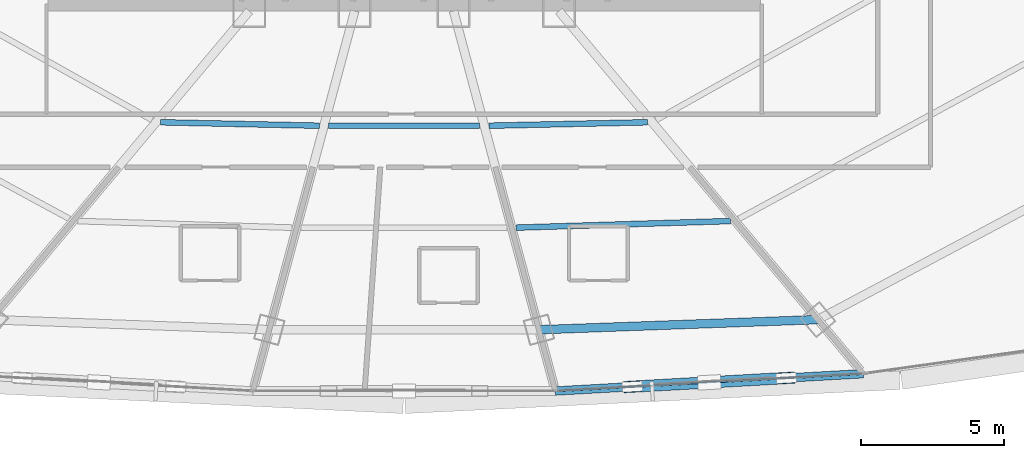
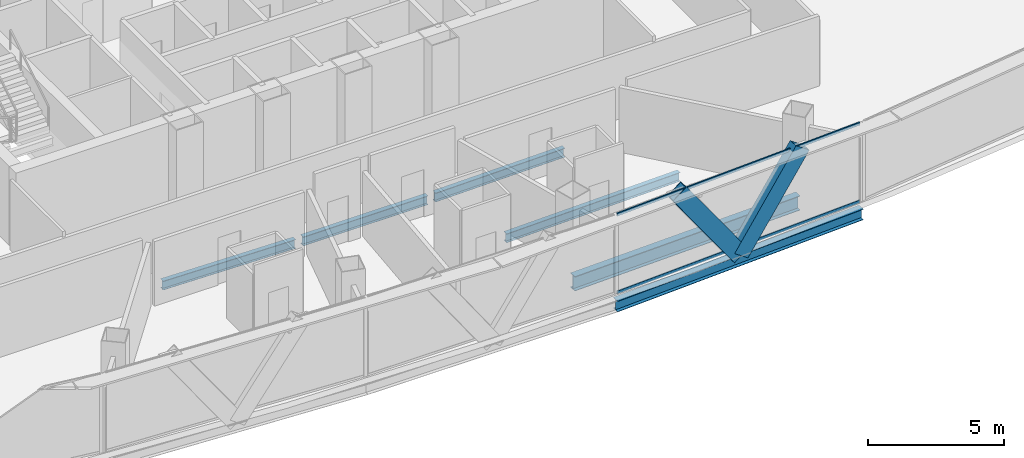
# One storey, part 13 of 40: 6 beams, 4 members, 1 element without a shape of its own.
"""IFC4 building model written with IfcOpenShell, lengths in metres."""

from ifc_helpers import new_model, si_unit, direction, frame, origin, origin_2d, place, context, subcontext, project, spatial, hollow_rectangle, i_section, extrude, source, transform, mapped, material, layer, layer_set, material_profile, profile_set, type_object, element, aggregate, save


model = new_model("IFC4")

# Units and contexts
model_context = context("Model", 3, precision=1e-05, world=origin(), true_north=direction((0.0, 1.0)))
body_context = subcontext(model_context, "Body", "Model", "MODEL_VIEW")
ifc_project = project(units=[si_unit("LENGTHUNIT", "METRE"), si_unit("AREAUNIT", "SQUARE_METRE"), si_unit("VOLUMEUNIT", "CUBIC_METRE"), si_unit("PLANEANGLEUNIT", "RADIAN"), si_unit("MASSUNIT", "GRAM", prefix="KILO"), si_unit("THERMODYNAMICTEMPERATUREUNIT", "KELVIN"), si_unit("POWERUNIT", "WATT")], contexts=[model_context])

# Site, building, storey
site_placement = place(None, origin())
site = spatial("IfcSite", under=ifc_project, at=site_placement, CompositionType="ELEMENT")
building_placement = place(site_placement, origin())
building = spatial("IfcBuilding", under=site, at=building_placement, Name="Yunzhuo Pagoda Commons", CompositionType="ELEMENT")
storey_placement = place(building_placement, frame((0.0, 0.0, 184.760009765625)))
storey = spatial("IfcBuildingStorey", under=building, at=storey_placement, Name="L46", CompositionType="ELEMENT", Elevation=184.760009765625)

# Beams
ifc_material_1 = material(Name="Structural steel Q355B", Category="steel")
ifc_material_profile_1 = material_profile(ifc_material_1, i_section(OverallWidth=0.300048828125, OverallDepth=0.488037109375, WebThickness=0.010986328125, FlangeThickness=0.01806640625, at=origin_2d()), Name="Structural steel Q355B")
ifc_profile_set_1 = profile_set([ifc_material_profile_1], Name="Structural steel Q355B")
beam_type_1 = type_object("IfcBeamType", Name="B-SP1 Beam HM 488x300x11x18", PredefinedType="BEAM", material=ifc_profile_set_1)
shared_shape_1 = source(origin(), body_context, "Body", "SweptSolid", [
    extrude(i_section(OverallWidth=0.300048828125, OverallDepth=0.488037109375, WebThickness=0.010986328125, FlangeThickness=0.01806640625, at=origin_2d()), origin(), (0.0, 0.0, 1.0), 10.77783203125),
])
beam_1_placement = place(storey_placement, frame((53.28662109375, 13.970458984375, -0.503662109375), z_axis=(0.998422062391, 0.056155011631, 0.0), x_axis=(-0.056155011631, 0.998422062391, 0.0)))
element("IfcBeam", 1, at=beam_1_placement, inside=storey, type_object=beam_type_1, Name="L46 facade edge spandrel beam F1.3", PredefinedType="BEAM", context=body_context, shape_type="MappedRepresentation", body=[
    mapped(shared_shape_1, transform((0.0, 0.0, 0.0), scale=1.0)),
])
ifc_material_profile_2 = material_profile(ifc_material_1, i_section(OverallWidth=0.300048828125, OverallDepth=0.64990234375, WebThickness=0.012939453125, FlangeThickness=0.02197265625, at=origin_2d()), Name="Structural steel Q355B")
ifc_profile_set_2 = profile_set([ifc_material_profile_2], Name="Structural steel Q355B")
beam_type_2 = type_object("IfcBeamType", Name="B-RG2 Beam HN 650x300x13x22", PredefinedType="BEAM", material=ifc_profile_set_2)
shared_shape_2 = source(origin(), body_context, "Body", "SweptSolid", [
    extrude(i_section(OverallWidth=0.300048828125, OverallDepth=0.64990234375, WebThickness=0.012939453125, FlangeThickness=0.02197265625, at=origin_2d()), origin(), (0.0, 0.0, 1.0), 9.754638671875),
])
beam_2_placement = place(storey_placement, frame((52.712890625, 16.1123046875, -0.5849609375), z_axis=(0.999343095614, 0.036240547032, 0.0), x_axis=(-0.036240547032, 0.999343095614, 0.0)))
element("IfcBeam", 2, at=beam_2_placement, inside=storey, type_object=beam_type_2, Name="L46 column-ring beam 3", PredefinedType="BEAM", context=body_context, shape_type="MappedRepresentation", body=[
    mapped(shared_shape_2, transform((0.0, 0.0, 0.0), scale=1.0)),
])
ifc_material_profile_3 = material_profile(ifc_material_1, i_section(OverallWidth=0.199951171875, OverallDepth=0.39990234375, WebThickness=0.008056640625, FlangeThickness=0.012939453125, at=origin_2d()), Name="Structural steel Q355B")
ifc_profile_set_3 = profile_set([ifc_material_profile_3], Name="Structural steel Q355B")
beam_type_3 = type_object("IfcBeamType", Name="B-JS1 Joist HN 400x200x8x13", PredefinedType="JOIST", material=ifc_profile_set_3)
shared_shape_3 = source(origin(), body_context, "Body", "SweptSolid", [
    extrude(i_section(OverallWidth=0.199951171875, OverallDepth=0.39990234375, WebThickness=0.008056640625, FlangeThickness=0.012939453125, at=origin_2d()), origin(), (0.0, 0.0, 1.0), 5.550537109375),
])
for number, where, z_axis, x_axis, name in (
    (3, (39.489013671875, 23.3642578125, -0.4599609375), (0.99976582056, -0.021640333643, 0.0), (0.021640333643, 0.99976582056, 0.0), "L46 composite ring joist 1.1"),
    (4, (50.961669921875, 23.244140625, -0.4599609375), (0.99976582056, 0.021640333643, 0.0), (-0.021640333643, 0.99976582056, 0.0), "L46 composite ring joist 1.3"),
):
    element("IfcBeam", number, at=place(storey_placement, frame(where, z_axis=z_axis, x_axis=x_axis)), inside=storey, type_object=beam_type_3, Name=name, PredefinedType="JOIST", context=body_context, shape_type="MappedRepresentation", body=[
        mapped(shared_shape_3, transform((0.0, 0.0, 0.0), scale=1.0)),
    ])
shared_shape_4 = source(origin(), body_context, "Body", "SweptSolid", [
    extrude(i_section(OverallWidth=0.199951171875, OverallDepth=0.39990234375, WebThickness=0.008056640625, FlangeThickness=0.012939453125, at=origin_2d()), origin(), (0.0, 0.0, 1.0), 7.49365234375),
])
beam_3_placement = place(storey_placement, frame((51.91650390625, 19.68115234375, -0.4599609375), z_axis=(0.99952593018, 0.030788226605, 0.0), x_axis=(-0.030788226605, 0.99952593018, 0.0)))
element("IfcBeam", 5, at=beam_3_placement, inside=storey, type_object=beam_type_3, Name="L46 composite ring joist 2.3", PredefinedType="JOIST", context=body_context, shape_type="MappedRepresentation", body=[
    mapped(shared_shape_4, transform((0.0, 0.0, 0.0), scale=1.0)),
])
shared_shape_5 = source(origin(), body_context, "Body", "SweptSolid", [
    extrude(i_section(OverallWidth=0.199951171875, OverallDepth=0.39990234375, WebThickness=0.008056640625, FlangeThickness=0.012939453125, at=origin_2d()), origin(), (0.0, 0.0, 1.0), 5.287109375),
])
beam_4_placement = place(storey_placement, frame((45.3564453125, 23.24072265625, -0.4599609375), z_axis=(1.0, 0.0, 0.0), x_axis=(0.0, 1.0, 0.0)))
element("IfcBeam", 6, at=beam_4_placement, inside=storey, type_object=beam_type_3, Name="L46 composite ring joist 1.2", PredefinedType="JOIST", context=body_context, shape_type="MappedRepresentation", body=[
    mapped(shared_shape_5, transform((0.0, 0.0, 0.0), scale=1.0)),
])

# Members
ifc_material_profile_4 = material_profile(ifc_material_1, hollow_rectangle(XDim=0.39990234375, YDim=0.719970703125, WallThickness=0.02392578125, at=origin_2d()), Name="Structural steel Q355B")
ifc_profile_set_4 = profile_set([ifc_material_profile_4], Name="Structural steel Q355B")
member_type_1 = type_object("IfcMemberType", Name="M-DL2 Brace BOX 720x400x24", PredefinedType="BRACE", material=ifc_profile_set_4)
shared_shape_6 = source(origin(), body_context, "Body", "SweptSolid", [
    extrude(hollow_rectangle(XDim=0.39990234375, YDim=0.719970703125, WallThickness=0.02392578125, at=origin_2d()), origin(), (0.0, 0.0, 1.0), 4.658447265625),
])
for number, where, z_axis, x_axis, name in (
    (7, (58.6669921875, 14.27294921875, -0.260009765625), (-0.577495429788, -0.032493617068, 0.815747015578), (0.056177592441, -0.998420792105, 0.0), "L46 facade diamond brace F1.3L"),
    (8, (58.6669921875, 14.27294921875, -0.260009765625), (0.577495429788, 0.032493617068, 0.815747015578), (-0.056177592441, 0.998420792105, 0.0), "L46 facade diamond brace F1.3R"),
):
    element("IfcMember", number, at=place(storey_placement, frame(where, z_axis=z_axis, x_axis=x_axis)), inside=storey, type_object=member_type_1, Name=name, PredefinedType="BRACE", context=body_context, shape_type="MappedRepresentation", body=[
        mapped(shared_shape_6, transform((0.0, 0.0, 0.0), scale=1.0)),
    ])

# Curtain wall, members
ifc_material_2 = material(Name="Anodized aluminium 6063-T6", Category="aluminium")
ifc_layer = layer(ifc_material_2, 0.14990234375)
ifc_layer_set = layer_set([ifc_layer], Name="Anodized aluminium 6063-T6")
curtain_wall_type = type_object("IfcCurtainWallType", Name="CW-MID Mid-Zone Ribbon Curtain Wall", PredefinedType="NOTDEFINED", material=ifc_layer_set)
curtain_wall_placement = place(storey_placement, origin())
curtain_wall = element("IfcCurtainWall", 9, at=curtain_wall_placement, inside=storey, type_object=curtain_wall_type, Name="L46 curtain wall CW-L46-F1B4", PredefinedType="NOTDEFINED")
ifc_material_profile_5 = material_profile(ifc_material_2, hollow_rectangle(XDim=0.054931640625, YDim=0.1298828125, WallThickness=0.00341796875, at=origin_2d()), Name="Anodized aluminium 6063-T6")
ifc_profile_set_5 = profile_set([ifc_material_profile_5], Name="Anodized aluminium 6063-T6")
member_type_2 = type_object("IfcMemberType", Name="CW-MID-T Transom RHS 130x55x3.5", PredefinedType="USERDEFINED", material=ifc_profile_set_5)
shared_shape_7 = source(origin(), body_context, "Body", "SweptSolid", [
    extrude(hollow_rectangle(XDim=0.054931640625, YDim=0.1298828125, WallThickness=0.00341796875, at=origin_2d()), origin(), (0.0, 0.0, 1.0), 10.65771484375),
])
member_1_placement = place(storey_placement, frame((53.3466796875, 13.973876953125, 0.027587890625), z_axis=(0.998422555941, 0.056146235737, 0.0), x_axis=(-0.056146235737, 0.998422555941, 0.0)))
member_1 = element("IfcMember", 10, at=member_1_placement, type_object=member_type_2, Name="CW transom 1.1", ObjectType="TRANSOM", PredefinedType="USERDEFINED", context=body_context, shape_type="MappedRepresentation", body=[
    mapped(shared_shape_7, transform((0.0, 0.0, 0.0), scale=1.0)),
])
member_2_placement = place(storey_placement, frame((53.3466796875, 13.973876953125, 3.512451171875), z_axis=(0.998422555941, 0.056146235737, 0.0), x_axis=(-0.056146235737, 0.998422555941, 0.0)))
member_2 = element("IfcMember", 11, at=member_2_placement, type_object=member_type_2, Name="CW transom 1.2", ObjectType="TRANSOM", PredefinedType="USERDEFINED", context=body_context, shape_type="MappedRepresentation", body=[
    mapped(shared_shape_7, transform((0.0, 0.0, 0.0), scale=1.0)),
])
aggregate(curtain_wall, [member_1, member_2])

save(model, "model.ifc")
